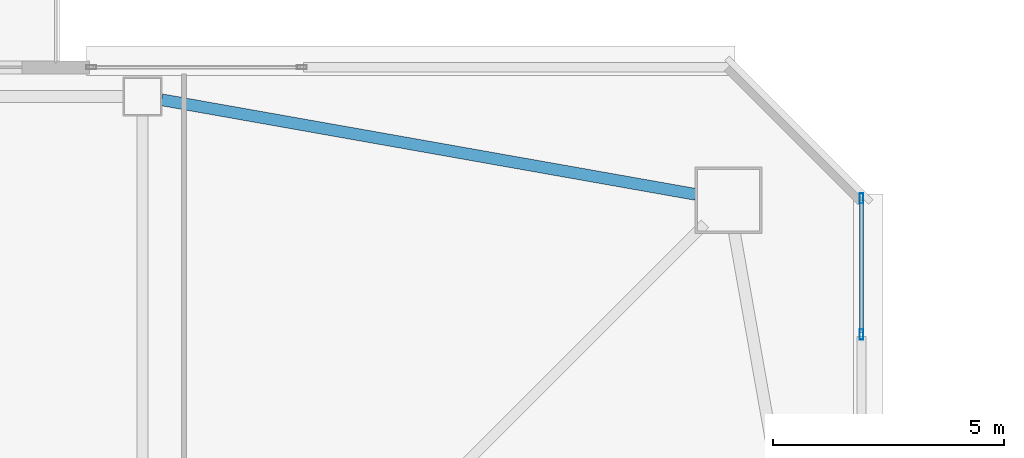
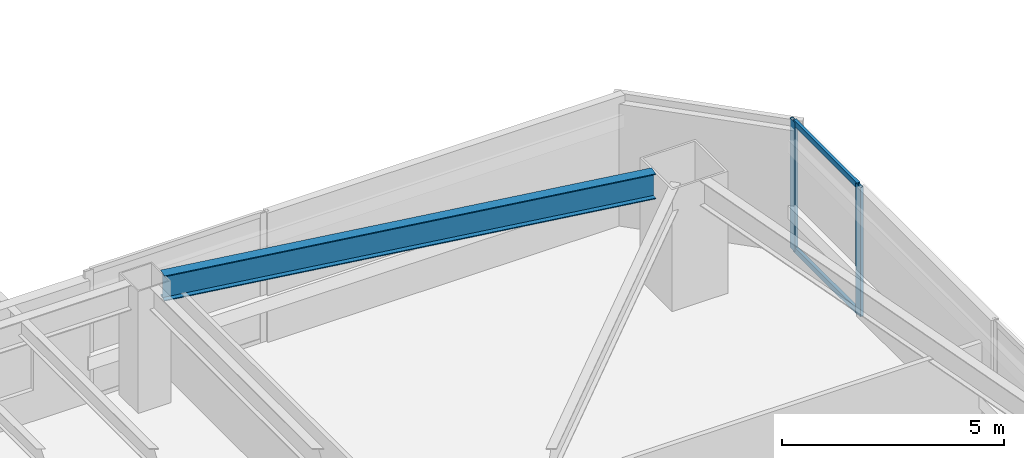
# One storey, part 18 of 48: 4 members, 1 beam, 1 element without a shape of its own.
"""IFC4 building model written with IfcOpenShell, lengths in metres."""

from ifc_helpers import new_model, si_unit, direction, frame, origin, origin_2d, place, context, subcontext, project, spatial, hollow_rectangle, i_section, extrude, material, material_profile, profile_set, type_object, element, aggregate, save


model = new_model("IFC4")

# Units and contexts
model_context = context("Model", 3, precision=1e-05, world=origin(), true_north=direction((0.0, 1.0)))
body_context = subcontext(model_context, "Body", "Model", "MODEL_VIEW")
ifc_project = project(units=[si_unit("LENGTHUNIT", "METRE"), si_unit("AREAUNIT", "SQUARE_METRE"), si_unit("VOLUMEUNIT", "CUBIC_METRE"), si_unit("PLANEANGLEUNIT", "RADIAN"), si_unit("MASSUNIT", "GRAM", prefix="KILO")], contexts=[model_context])

# Site, building, storey
site_placement = place(None, origin())
site = spatial("IfcSite", under=ifc_project, at=site_placement, CompositionType="ELEMENT")
building_placement = place(site_placement, origin())
building = spatial("IfcBuilding", under=site, at=building_placement, Name="Tashvorn Skyway Center", CompositionType="ELEMENT")
storey_placement = place(building_placement, frame((0.0, 0.0, 77.85009765625)))
storey = spatial("IfcBuildingStorey", under=building, at=storey_placement, Name="L20", CompositionType="ELEMENT", Elevation=77.85009765625)

# Beam
ifc_material_1 = material(Name="Steel ASTM A992 Grade 50", Category="steel")
ifc_material_profile_1 = material_profile(ifc_material_1, i_section(OverallWidth=0.256103515625, OverallDepth=0.693115234375, WebThickness=0.014404296875, FlangeThickness=0.023681640625, at=origin_2d()), Name="W27X114")
ifc_profile_set_1 = profile_set([ifc_material_profile_1], Name="Steel ASTM A992 Grade 50")
beam_type = type_object("IfcBeamType", Name="BM-SPANDREL-W27X114", PredefinedType="SPANDREL", material=ifc_profile_set_1)
beam_placement = place(storey_placement, frame((59.39111328125, 50.2255859375, 3.00341796875), z_axis=(-0.98466816531, 0.174437966698, 0.0), x_axis=(-0.174437966698, -0.98466816531, 0.0)))
element("IfcBeam", 1, at=beam_placement, inside=storey, type_object=beam_type, Name="Tower 1 L20 Spandrel Beam 07", PredefinedType="SPANDREL", context=body_context, shape_type="SweptSolid", body=[
    extrude(i_section(OverallWidth=0.256103515625, OverallDepth=0.693115234375, WebThickness=0.014404296875, FlangeThickness=0.023681640625, at=origin_2d()), origin(), (0.0, 0.0, 1.0), 11.7578125),
])

# Curtain wall, members
ifc_material_2 = material(Name="Thermally broken bronze-anodized aluminium 6063-T6", Category="aluminium")
curtain_wall_type = type_object("IfcCurtainWallType", Name="CW-CW-Z2", PredefinedType="NOTDEFINED", material=ifc_material_2)
curtain_wall_placement = place(storey_placement, origin())
curtain_wall = element("IfcCurtainWall", 2, at=curtain_wall_placement, inside=storey, type_object=curtain_wall_type, Name="Tower 1 L20 East Unitised Curtain Wall Glazing Group 1", PredefinedType="NOTDEFINED")
ifc_material_profile_2 = material_profile(ifc_material_2, hollow_rectangle(XDim=0.080078125, YDim=0.219970703125, WallThickness=0.0048828125, at=origin_2d()), Name="ALU-MULL-80x220")
ifc_profile_set_2 = profile_set([ifc_material_profile_2], Name="Thermally broken bronze-anodized aluminium 6063-T6")
member_type_1 = type_object("IfcMemberType", Name="CWM-CW-Z2", PredefinedType="MULLION", material=ifc_profile_set_2)
member_1_placement = place(storey_placement, frame((62.97998046875, 50.139892578125, 0.0), z_axis=(0.0, 0.0, 1.0), x_axis=(1.0, 0.0, 0.0)))
member_1 = element("IfcMember", 3, at=member_1_placement, type_object=member_type_1, Name="CW-Z2 mullion 1", PredefinedType="MULLION", context=body_context, shape_type="SweptSolid", body=[
    extrude(hollow_rectangle(XDim=0.080078125, YDim=0.219970703125, WallThickness=0.0048828125, at=origin_2d()), origin(), (0.0, 0.0, 1.0), 3.5498046875),
])
member_2_placement = place(storey_placement, frame((62.97998046875, 47.18994140625, 0.0), z_axis=(0.0, 0.0, 1.0), x_axis=(1.0, 0.0, 0.0)))
member_2 = element("IfcMember", 4, at=member_2_placement, type_object=member_type_1, Name="CW-Z2 mullion 2", PredefinedType="MULLION", context=body_context, shape_type="SweptSolid", body=[
    extrude(hollow_rectangle(XDim=0.080078125, YDim=0.219970703125, WallThickness=0.0048828125, at=origin_2d()), origin(), (0.0, 0.0, 1.0), 3.5498046875),
])
ifc_material_profile_3 = material_profile(ifc_material_2, hollow_rectangle(XDim=0.080078125, YDim=0.14990234375, WallThickness=0.00439453125, at=origin_2d()), Name="ALU-TRAN-80x150")
ifc_profile_set_3 = profile_set([ifc_material_profile_3], Name="Thermally broken bronze-anodized aluminium 6063-T6")
member_type_2 = type_object("IfcMemberType", Name="CWT-CW-Z2", PredefinedType="USERDEFINED", material=ifc_profile_set_3)
member_3_placement = place(storey_placement, frame((62.97998046875, 50.10009765625, 0.039794921875), z_axis=(0.0, -1.0, 0.0), x_axis=(1.0, 0.0, 0.0)))
member_3 = element("IfcMember", 5, at=member_3_placement, type_object=member_type_2, Name="CW-Z2 transom 1.1", ObjectType="TRANSOM", PredefinedType="USERDEFINED", context=body_context, shape_type="SweptSolid", body=[
    extrude(hollow_rectangle(XDim=0.080078125, YDim=0.14990234375, WallThickness=0.00439453125, at=origin_2d()), origin(), (0.0, 0.0, 1.0), 2.8701171875),
])
member_4_placement = place(storey_placement, frame((62.97998046875, 50.10009765625, 3.510009765625), z_axis=(0.0, -1.0, 0.0), x_axis=(1.0, 0.0, 0.0)))
member_4 = element("IfcMember", 6, at=member_4_placement, type_object=member_type_2, Name="CW-Z2 transom 1.2", ObjectType="TRANSOM", PredefinedType="USERDEFINED", context=body_context, shape_type="SweptSolid", body=[
    extrude(hollow_rectangle(XDim=0.080078125, YDim=0.14990234375, WallThickness=0.00439453125, at=origin_2d()), origin(), (0.0, 0.0, 1.0), 2.8701171875),
])
aggregate(curtain_wall, [member_1, member_2, member_3, member_4])

save(model, "model.ifc")
